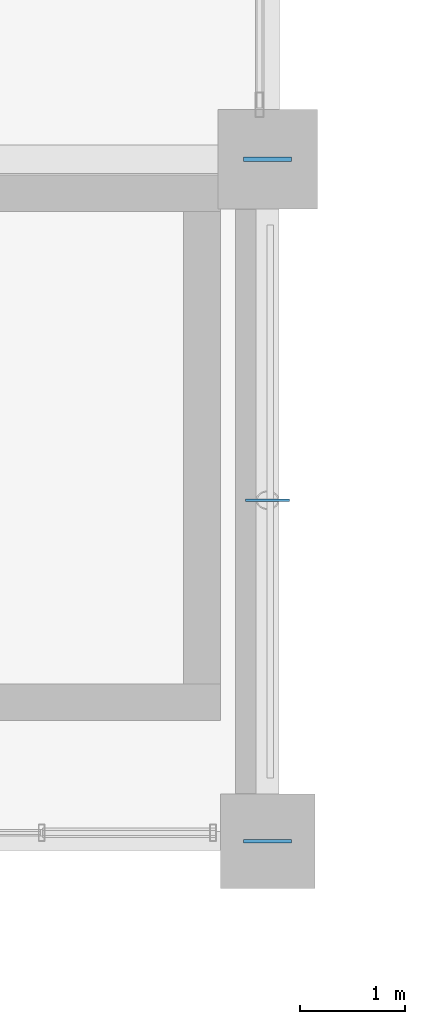
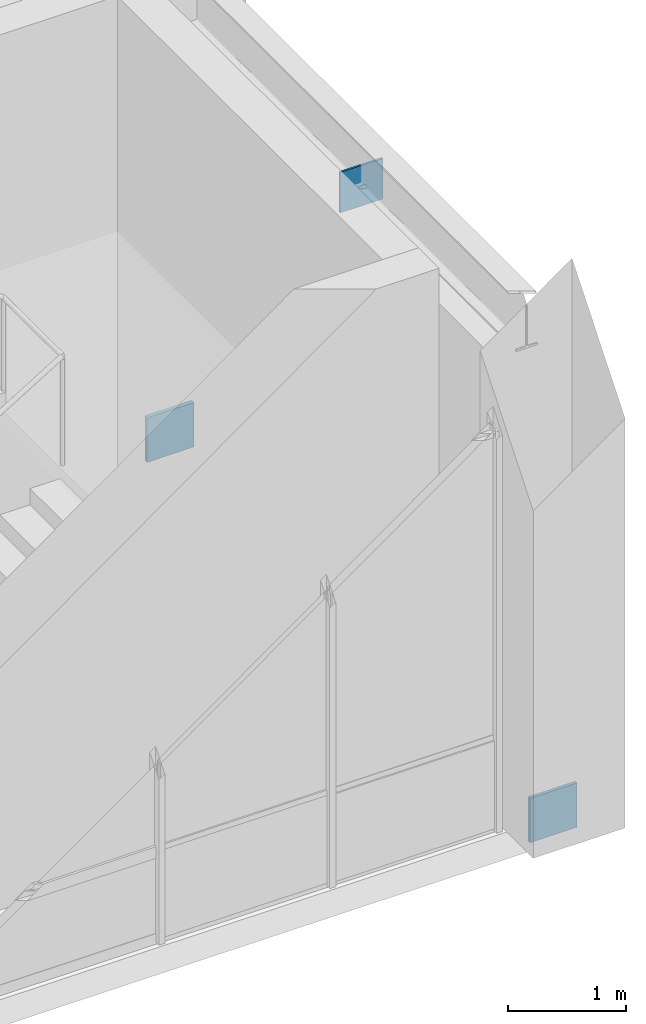
# One storey, part 168 of 203: 3 plates.
"""IFC4 building model written with IfcOpenShell, lengths in metres."""

from ifc_helpers import new_model, si_unit, direction, frame, origin, origin_2d, place, context, subcontext, project, spatial, rectangle, extrude, material, layer, layer_set, type_object, element, save


model = new_model("IFC4")

# Units and contexts
model_context = context("Model", 3, precision=1e-05, world=origin(), true_north=direction((0.0, 1.0)))
body_context = subcontext(model_context, "Body", "Model", "MODEL_VIEW")
ifc_project = project(units=[si_unit("LENGTHUNIT", "METRE"), si_unit("AREAUNIT", "SQUARE_METRE"), si_unit("VOLUMEUNIT", "CUBIC_METRE"), si_unit("PLANEANGLEUNIT", "RADIAN"), si_unit("MASSUNIT", "GRAM", prefix="KILO"), si_unit("THERMODYNAMICTEMPERATUREUNIT", "KELVIN"), si_unit("POWERUNIT", "WATT")], contexts=[model_context])

# Site, building, storey
site_placement = place(None, origin())
site = spatial("IfcSite", under=ifc_project, at=site_placement, CompositionType="ELEMENT")
building_placement = place(site_placement, origin())
building = spatial("IfcBuilding", under=site, at=building_placement, Name="Tepalcoro Natatorium and Aquatics Centre", CompositionType="ELEMENT")
storey_placement = place(building_placement, origin())
storey = spatial("IfcBuildingStorey", under=building, at=storey_placement, Name="L00", CompositionType="ELEMENT", Elevation=0.0)

# Plates
ifc_material = material(Name="Plate Steel ASTM A572 Grade 50 (Fy 345 MPa)", Category="steel")
ifc_layer_1 = layer(ifc_material, 0.031982421875)
ifc_layer_set_1 = layer_set([ifc_layer_1], Name="Plate Steel ASTM A572 Grade 50 (Fy 345 MPa)")
plate_type_1 = type_object("IfcPlateType", Name="PL_CAP_32", PredefinedType="USERDEFINED", material=ifc_layer_set_1)
plate_1_placement = place(storey_placement, frame((176.0, 6.5, -0.179931640625), z_axis=(0.0, 0.0, 1.0), x_axis=(1.0, 0.0, 0.0)))
element("IfcPlate", 1, at=plate_1_placement, inside=storey, type_object=plate_type_1, Name="Truss Node Cap Plate BRB_4", ObjectType="CAP PLATE", PredefinedType="USERDEFINED", context=body_context, shape_type="SweptSolid", body=[
    extrude(rectangle(XDim=0.4599609375, YDim=0.031982421875, at=origin_2d()), origin(), (0.0, 0.0, 1.0), 0.4599609375),
])
ifc_layer_2 = layer(ifc_material, 0.02001953125)
ifc_layer_set_2 = layer_set([ifc_layer_2], Name="Plate Steel ASTM A572 Grade 50 (Fy 345 MPa)")
plate_type_2 = type_object("IfcPlateType", Name="PL_GUSSET_20", PredefinedType="USERDEFINED", material=ifc_layer_set_2)
plate_2_placement = place(storey_placement, frame((176.0, 9.75, 4.360107421875), z_axis=(0.0, 0.0, 1.0), x_axis=(1.0, 0.0, 0.0)))
element("IfcPlate", 2, at=plate_2_placement, inside=storey, type_object=plate_type_2, Name="V2 L00 Chevron Gusset Plate GP1", ObjectType="GUSSET PLATE", PredefinedType="USERDEFINED", context=body_context, shape_type="SweptSolid", body=[
    extrude(rectangle(XDim=0.419921875, YDim=0.02001953125, at=origin_2d()), origin(), (0.0, 0.0, 1.0), 0.419921875),
])
ifc_layer_3 = layer(ifc_material, 0.0400390625)
ifc_layer_set_3 = layer_set([ifc_layer_3], Name="Plate Steel ASTM A572 Grade 50 (Fy 345 MPa)")
plate_type_3 = type_object("IfcPlateType", Name="PL_GUSSET_40", PredefinedType="USERDEFINED", material=ifc_layer_set_3)
plate_3_placement = place(storey_placement, frame((176.0, 13.0, -0.179931640625), z_axis=(0.0, 0.0, 1.0), x_axis=(1.0, 0.0, 0.0)))
element("IfcPlate", 3, at=plate_3_placement, inside=storey, type_object=plate_type_3, Name="Truss Node Gusset Plate BRB_4", ObjectType="GUSSET PLATE", PredefinedType="USERDEFINED", context=body_context, shape_type="SweptSolid", body=[
    extrude(rectangle(XDim=0.4599609375, YDim=0.0400390625, at=origin_2d()), origin(), (0.0, 0.0, 1.0), 0.4599609375),
])

save(model, "model.ifc")
